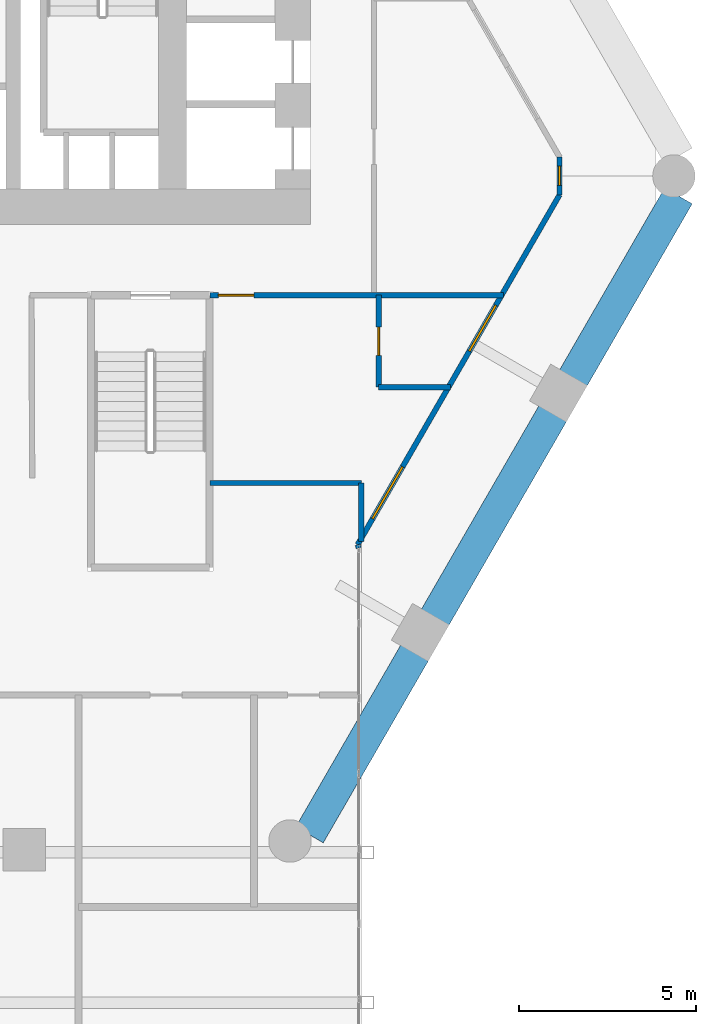
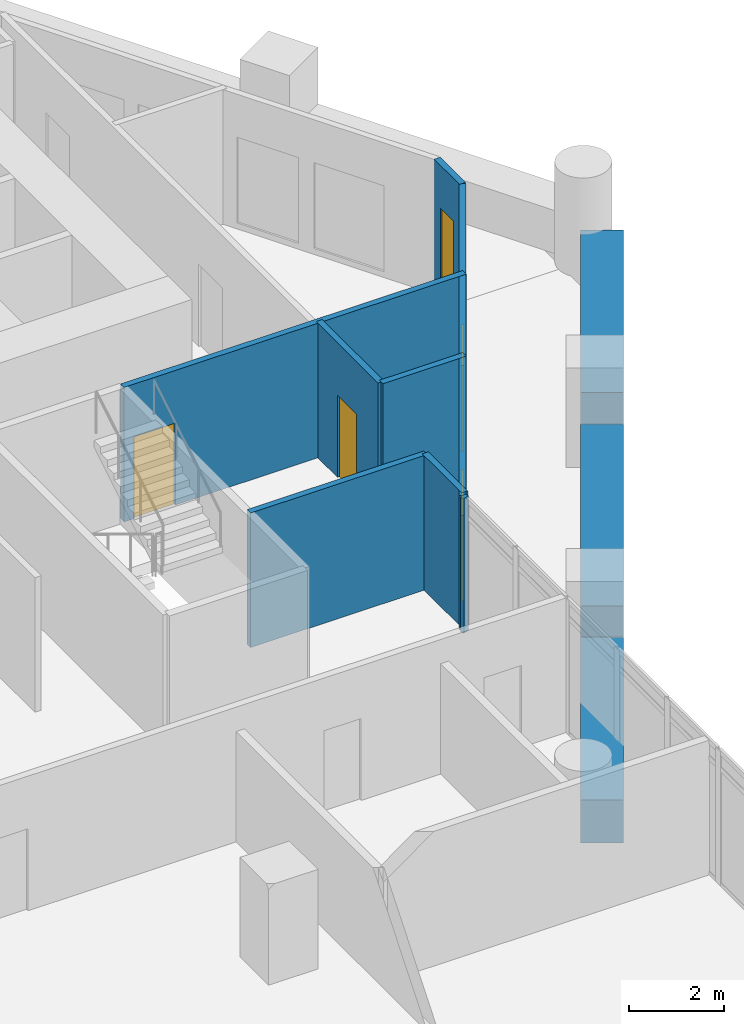
# One storey, part 24 of 28: 11 walls, 3 windows, 2 doors, 5 openings.
"""IFC4 building model written with IfcOpenShell, lengths in metres."""

from ifc_helpers import new_model, si_unit, direction, frame, frame_2d, origin, place, context, subcontext, project, spatial, rectangle, extrude, material, layer, layer_set, type_object, element, fill, save


model = new_model("IFC4")

# Units and contexts
model_context = context("Model", 3, precision=1e-05, world=origin(), true_north=direction((0.0, 1.0)))
body_context = subcontext(model_context, "Body", "Model", "MODEL_VIEW")
ifc_project = project(units=[si_unit("LENGTHUNIT", "METRE"), si_unit("AREAUNIT", "SQUARE_METRE"), si_unit("VOLUMEUNIT", "CUBIC_METRE"), si_unit("PLANEANGLEUNIT", "RADIAN"), si_unit("MASSUNIT", "GRAM", prefix="KILO")], contexts=[model_context])

# Site, building, storey
site_placement = place(None, origin())
site = spatial("IfcSite", under=ifc_project, at=site_placement, CompositionType="ELEMENT")
building_placement = place(site_placement, origin())
building = spatial("IfcBuilding", under=site, at=building_placement, Name="Ostrander Bayou Hotel Tower", CompositionType="ELEMENT")
storey_placement = place(building_placement, frame((0.0, 0.0, 100.5)))
storey = spatial("IfcBuildingStorey", under=building, at=storey_placement, Name="L25", CompositionType="ELEMENT", Elevation=100.5)

# Wall, openings, windows
ifc_material_1 = material(Name="Aluminium framed insulated wall", Category="aluminium")
ifc_layer_1 = layer(ifc_material_1, 0.14990234375)
ifc_layer_set_1 = layer_set([ifc_layer_1], Name="GW1 glass-line wall 150 mm")
wall_type_1 = type_object("IfcWallType", Name="GW1 glass-line wall 150 mm", PredefinedType="SOLIDWALL", material=ifc_layer_set_1)
wall_1_placement = place(storey_placement, frame((13.333984375, -10.7548828125, 0.0), z_axis=(0.0, 0.0, 1.0), x_axis=(0.499999897272, 0.866025463095, 0.0)))
wall_1 = element("IfcWall", 1, at=wall_1_placement, inside=storey, type_object=wall_type_1, Name="GW1 L25 SE 1", PredefinedType="SOLIDWALL", context=body_context, shape_type="SweptSolid", body=[
    extrude(rectangle(XDim=11.42578125, YDim=0.14990234375, at=frame_2d((5.712890625, 0.0))), origin(), (0.0, 0.0, 1.0), 3.449951171875),
])
opening_1_placement = place(wall_1_placement, frame((0.84716796875, 0.0, 0.14990234375)))
opening_1 = element("IfcOpeningElement", 2, at=opening_1_placement, cuts=wall_1, Name="Opening W8", PredefinedType="OPENING", context=body_context, shape_type="SweptSolid", body=[
    extrude(rectangle(XDim=1.699951171875, YDim=2.199951171875, at=frame_2d((0.85009765625, 1.10009765625))), frame((0.0, 0.074951171875, 0.0), z_axis=(0.0, -1.0, 0.0), x_axis=(1.0, 0.0, 0.0)), (0.0, 0.0, 1.0), 0.14990234375),
])
opening_2_placement = place(wall_1_placement, frame((6.322265625, 0.0, 0.14990234375)))
opening_2 = element("IfcOpeningElement", 3, at=opening_2_placement, cuts=wall_1, Name="Opening W12", PredefinedType="OPENING", context=body_context, shape_type="SweptSolid", body=[
    extrude(rectangle(XDim=1.5, YDim=2.199951171875, at=frame_2d((0.75, 1.10009765625))), frame((0.0, 0.074951171875, 0.0), z_axis=(0.0, -1.0, 0.0), x_axis=(1.0, 0.0, 0.0)), (0.0, 0.0, 1.0), 0.14990234375),
])
ifc_material_2 = material(Name="Aluminium and clear glass", Category="aluminium")
window_type_1 = type_object("IfcWindowType", Name="W12 fixed window 1500 mm, bath bay, zone 2", PartitioningType="SINGLE_PANEL", PredefinedType="WINDOW", material=ifc_material_2)
window_1_placement = place(opening_2_placement, origin())
window_1 = element("IfcWindow", 4, at=window_1_placement, inside=storey, type_object=window_type_1, Name="W12 L25 SE 3", OverallHeight=2.199951171875, OverallWidth=1.5, PartitioningType="SINGLE_PANEL", PredefinedType="WINDOW", context=body_context, shape_type="SweptSolid", body=[
    extrude(rectangle(XDim=1.5, YDim=2.199951171875, at=frame_2d((0.75, 1.10009765625))), frame((0.0, 0.030029296875, 0.0), z_axis=(0.0, -1.0, 0.0), x_axis=(1.0, 0.0, 0.0)), (0.0, 0.0, 1.0), 0.06005859375),
])
fill(opening_2, window_1)
ifc_material_3 = material(Name="Aluminium and clear glass", Category="aluminium")
window_type_2 = type_object("IfcWindowType", Name="W8 fixed window 1700 mm, bar storeys, zone 2", PartitioningType="SINGLE_PANEL", PredefinedType="WINDOW", material=ifc_material_3)
window_2_placement = place(opening_1_placement, origin())
window_2 = element("IfcWindow", 5, at=window_2_placement, inside=storey, type_object=window_type_2, Name="W8 L25 SE 2", OverallHeight=2.199951171875, OverallWidth=1.699951171875, PartitioningType="SINGLE_PANEL", PredefinedType="WINDOW", context=body_context, shape_type="SweptSolid", body=[
    extrude(rectangle(XDim=1.699951171875, YDim=2.199951171875, at=frame_2d((0.85009765625, 1.10009765625))), frame((0.0, 0.030029296875, 0.0), z_axis=(0.0, -1.0, 0.0), x_axis=(1.0, 0.0, 0.0)), (0.0, 0.0, 1.0), 0.06005859375),
])
fill(opening_1, window_2)

# Wall, opening, window
wall_2_placement = place(storey_placement, frame((19.046875, -0.85986328125, 0.0), z_axis=(0.0, 0.0, 1.0), x_axis=(0.0, 1.0, 0.0)))
wall_2 = element("IfcWall", 6, at=wall_2_placement, inside=storey, type_object=wall_type_1, Name="GW1 L25 corner 5", PredefinedType="SOLIDWALL", context=body_context, shape_type="SweptSolid", body=[
    extrude(rectangle(XDim=1.06494140625, YDim=0.14990234375, at=frame_2d((0.532470703125, 0.0))), origin(), (0.0, 0.0, 1.0), 3.449951171875),
])
opening_3_placement = place(wall_2_placement, frame((0.257568359375, 0.0, 0.14990234375)))
opening_3 = element("IfcOpeningElement", 7, at=opening_3_placement, cuts=wall_2, Name="Opening W19", PredefinedType="OPENING", context=body_context, shape_type="SweptSolid", body=[
    extrude(rectangle(XDim=0.550048828125, YDim=2.199951171875, at=frame_2d((0.27490234375, 1.10009765625))), frame((0.0, 0.074951171875, 0.0), z_axis=(0.0, -1.0, 0.0), x_axis=(1.0, 0.0, 0.0)), (0.0, 0.0, 1.0), 0.14990234375),
])
ifc_material_4 = material(Name="Aluminium and clear glass", Category="aluminium")
window_type_3 = type_object("IfcWindowType", Name="W19 corner window 550 mm", PartitioningType="SINGLE_PANEL", PredefinedType="WINDOW", material=ifc_material_4)
window_3_placement = place(opening_3_placement, origin())
window_3 = element("IfcWindow", 8, at=window_3_placement, inside=storey, type_object=window_type_3, Name="W19 L25 corner 5", OverallHeight=2.199951171875, OverallWidth=0.550048828125, PartitioningType="SINGLE_PANEL", PredefinedType="WINDOW", context=body_context, shape_type="SweptSolid", body=[
    extrude(rectangle(XDim=0.550048828125, YDim=2.199951171875, at=frame_2d((0.27490234375, 1.10009765625))), frame((0.0, 0.030029296875, 0.0), z_axis=(0.0, -1.0, 0.0), x_axis=(1.0, 0.0, 0.0)), (0.0, 0.0, 1.0), 0.06005859375),
])
fill(opening_3, window_3)

# Walls
wall_3_placement = place(storey_placement, frame((13.333984375, -10.7548828125, 0.0), z_axis=(0.0, 0.0, 1.0), x_axis=(0.337751931921, -0.941235163221, 0.0)))
element("IfcWall", 9, at=wall_3_placement, inside=storey, type_object=wall_type_1, Name="GW1 L25 bar joint 3", PredefinedType="SOLIDWALL", context=body_context, shape_type="SweptSolid", body=[
    extrude(rectangle(XDim=0.098388671875, YDim=0.14990234375, at=frame_2d((0.04931640625, 0.0))), origin(), (0.0, 0.0, 1.0), 3.449951171875),
])
ifc_material_5 = material(Name="Limestone masonry", Category="masonry")
ifc_layer_2 = layer(ifc_material_5, 0.89990234375)
ifc_layer_set_2 = layer_set([ifc_layer_2], Name="PA2 limestone parapet 900 mm")
wall_type_2 = type_object("IfcWallType", Name="PA2 limestone parapet 900 mm", PredefinedType="PARAPET", material=ifc_layer_set_2)
wall_4_placement = place(storey_placement, frame((11.974853515625, -18.958984375, 0.0), z_axis=(0.0, 0.0, 1.0), x_axis=(0.499988630717, 0.866031967744, 0.0)))
element("IfcWall", 10, at=wall_4_placement, inside=storey, type_object=wall_type_2, Name="PA2 L25 SE-1", PredefinedType="PARAPET", context=body_context, shape_type="SweptSolid", body=[
    extrude(rectangle(XDim=5.954833984375, YDim=0.89990234375, at=frame_2d((2.9775390625, 0.0))), origin(), (0.0, 0.0, 1.0), 1.10009765625),
])
wall_5_placement = place(storey_placement, frame((15.522216796875, -12.814697265625, 0.0), z_axis=(0.0, 0.0, 1.0), x_axis=(0.499999023957, 0.866025967302, 0.0)))
element("IfcWall", 11, at=wall_5_placement, inside=storey, type_object=wall_type_2, Name="PA2 L25 SE-2", PredefinedType="PARAPET", context=body_context, shape_type="SweptSolid", body=[
    extrude(rectangle(XDim=6.67333984375, YDim=0.89990234375, at=frame_2d((3.336669921875, 0.0))), origin(), (0.0, 0.0, 1.0), 1.10009765625),
])
wall_6_placement = place(storey_placement, frame((19.428955078125, -6.048095703125, 0.0), z_axis=(0.0, 0.0, 1.0), x_axis=(0.500001626982, 0.866024464444, 0.0)))
element("IfcWall", 12, at=wall_6_placement, inside=storey, type_object=wall_type_2, Name="PA2 L25 SE-3", PredefinedType="PARAPET", context=body_context, shape_type="SweptSolid", body=[
    extrude(rectangle(XDim=5.955078125, YDim=0.89990234375, at=frame_2d((2.9775390625, 0.0))), origin(), (0.0, 0.0, 1.0), 1.10009765625),
])
ifc_material_6 = material(Name="Gypsum board partition", Category="finish")
ifc_layer_3 = layer(ifc_material_6, 0.14990234375)
ifc_layer_set_3 = layer_set([ifc_layer_3], Name="PT8 service band wall 150 mm, 1 hour")
wall_type_3 = type_object("IfcWallType", Name="PT8 service band wall 150 mm, 1 hour", PredefinedType="PARTITIONING", material=ifc_layer_set_3)
wall_7_placement = place(storey_placement, frame((9.159912109375, -9.010009765625, 0.0), z_axis=(0.0, 0.0, 1.0), x_axis=(1.0, 0.0, 0.0)))
element("IfcWall", 13, at=wall_7_placement, inside=storey, type_object=wall_type_3, Name="gw:L25:003", PredefinedType="PARTITIONING", context=body_context, shape_type="SweptSolid", body=[
    extrude(rectangle(XDim=4.280029296875, YDim=0.14990234375, at=frame_2d((2.14013671875, 0.0))), origin(), (0.0, 0.0, 1.0), 3.449951171875),
])
wall_8_placement = place(storey_placement, frame((13.929931640625, -6.300048828125, 0.0), z_axis=(0.0, 0.0, 1.0), x_axis=(1.0, 0.0, 0.0)))
element("IfcWall", 14, at=wall_8_placement, inside=storey, type_object=wall_type_3, Name="gw:L25:006", PredefinedType="PARTITIONING", context=body_context, shape_type="SweptSolid", body=[
    extrude(rectangle(XDim=2.028076171875, YDim=0.14990234375, at=frame_2d((1.01416015625, 0.0))), origin(), (0.0, 0.0, 1.0), 3.449951171875),
])

# Wall, opening, door
wall_9_placement = place(storey_placement, frame((9.159912109375, -3.699951171875, 0.0), z_axis=(0.0, 0.0, 1.0), x_axis=(1.0, 0.0, 0.0)))
wall_9 = element("IfcWall", 15, at=wall_9_placement, inside=storey, type_object=wall_type_3, Name="gw:L25:010", PredefinedType="PARTITIONING", context=body_context, shape_type="SweptSolid", body=[
    extrude(rectangle(XDim=8.299072265625, YDim=0.14990234375, at=frame_2d((4.1494140625, 0.0))), origin(), (0.0, 0.0, 1.0), 3.449951171875),
])
opening_4_placement = place(wall_9_placement, frame((0.239990234375, 0.0, 0.0)))
opening_4 = element("IfcOpeningElement", 16, at=opening_4_placement, cuts=wall_9, Name="Opening T25-406", PredefinedType="OPENING", context=body_context, shape_type="SweptSolid", body=[
    extrude(rectangle(XDim=1.0, YDim=2.10009765625, at=frame_2d((0.5, 1.050048828125))), frame((0.0, 0.074951171875, 0.0), z_axis=(0.0, -1.0, 0.0), x_axis=(1.0, 0.0, 0.0)), (0.0, 0.0, 1.0), 0.14990234375),
])
ifc_material_7 = material(Name="Timber door leaf", Category="wood")
door_type_1 = type_object("IfcDoorType", Name="D1 guest room door 1000 x 2100 mm, 30 minute", OperationType="SINGLE_SWING_LEFT", PredefinedType="DOOR", material=ifc_material_7)
door_1_placement = place(opening_4_placement, origin())
door_1 = element("IfcDoor", 17, at=door_1_placement, inside=storey, type_object=door_type_1, Name="dr:L25:406", OperationType="SINGLE_SWING_LEFT", OverallHeight=2.10009765625, OverallWidth=1.0, PredefinedType="DOOR", context=body_context, shape_type="SweptSolid", body=[
    extrude(rectangle(XDim=1.0, YDim=2.10009765625, at=frame_2d((0.5, 1.050048828125))), frame((0.0, 0.02490234375, 0.0), z_axis=(0.0, -1.0, 0.0), x_axis=(1.0, 0.0, 0.0)), (0.0, 0.0, 1.0), 0.050048828125),
])
fill(opening_4, door_1)

wall_10_placement = place(storey_placement, frame((13.929931640625, -6.300048828125, 0.0), z_axis=(0.0, 0.0, 1.0), x_axis=(0.0, 1.0, 0.0)))
wall_10 = element("IfcWall", 18, at=wall_10_placement, inside=storey, type_object=wall_type_3, Name="gw:L25:015", PredefinedType="PARTITIONING", context=body_context, shape_type="SweptSolid", body=[
    extrude(rectangle(XDim=2.60009765625, YDim=0.14990234375, at=frame_2d((1.300048828125, 0.0))), origin(), (0.0, 0.0, 1.0), 3.449951171875),
])
opening_5_placement = place(wall_10_placement, frame((0.89990234375, 0.0, 0.0)))
opening_5 = element("IfcOpeningElement", 19, at=opening_5_placement, cuts=wall_10, Name="Opening T25-407", PredefinedType="OPENING", context=body_context, shape_type="SweptSolid", body=[
    extrude(rectangle(XDim=0.800048828125, YDim=2.10009765625, at=frame_2d((0.39990234375, 1.050048828125))), frame((0.0, 0.074951171875, 0.0), z_axis=(0.0, -1.0, 0.0), x_axis=(1.0, 0.0, 0.0)), (0.0, 0.0, 1.0), 0.14990234375),
])
ifc_material_8 = material(Name="Timber door leaf", Category="wood")
door_type_2 = type_object("IfcDoorType", Name="D2 bathroom door 800 x 2100 mm", OperationType="SINGLE_SWING_LEFT", PredefinedType="DOOR", material=ifc_material_8)
door_2_placement = place(opening_5_placement, origin())
door_2 = element("IfcDoor", 20, at=door_2_placement, inside=storey, type_object=door_type_2, Name="dr:L25:407", OperationType="SINGLE_SWING_RIGHT", OverallHeight=2.10009765625, OverallWidth=0.800048828125, PredefinedType="DOOR", context=body_context, shape_type="SweptSolid", body=[
    extrude(rectangle(XDim=0.800048828125, YDim=2.10009765625, at=frame_2d((0.39990234375, 1.050048828125))), frame((0.0, 0.02490234375, 0.0), z_axis=(0.0, -1.0, 0.0), x_axis=(1.0, 0.0, 0.0)), (0.0, 0.0, 1.0), 0.050048828125),
])
fill(opening_5, door_2)

# Wall
wall_11_placement = place(storey_placement, frame((13.43994140625, -10.660888671875, 0.0), z_axis=(0.0, 0.0, 1.0), x_axis=(0.0, 1.0, 0.0)))
element("IfcWall", 21, at=wall_11_placement, inside=storey, type_object=wall_type_3, Name="gw:L25:017", PredefinedType="PARTITIONING", context=body_context, shape_type="SweptSolid", body=[
    extrude(rectangle(XDim=1.65087890625, YDim=0.14990234375, at=frame_2d((0.825439453125, 0.0))), origin(), (0.0, 0.0, 1.0), 3.449951171875),
])

save(model, "model.ifc")
